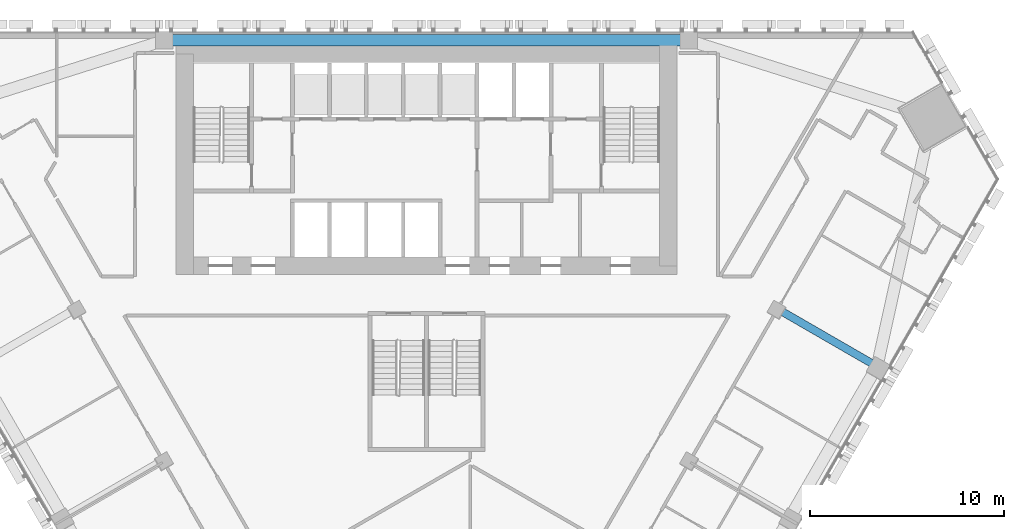
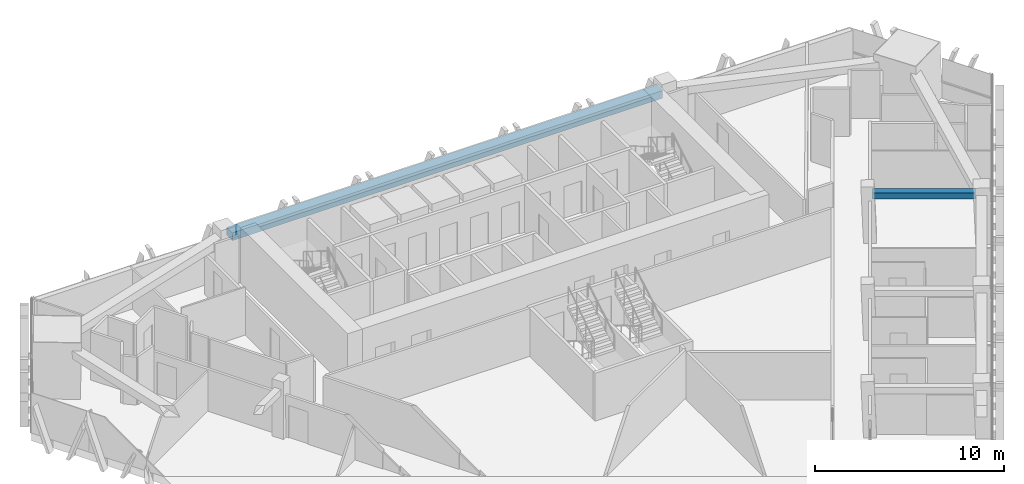
# One storey, part 6 of 16: 2 beams.
"""IFC4 building model written with IfcOpenShell, lengths in metres."""

from ifc_helpers import new_model, si_unit, direction, frame, origin, origin_2d, place, context, subcontext, project, spatial, rectangle, extrude, material, material_profile, profile_set, type_object, element, save


model = new_model("IFC4")

# Units and contexts
model_context = context("Model", 3, precision=1e-05, world=origin(), true_north=direction((0.0, 1.0)))
body_context = subcontext(model_context, "Body", "Model", "MODEL_VIEW")
ifc_project = project(units=[si_unit("LENGTHUNIT", "METRE"), si_unit("AREAUNIT", "SQUARE_METRE"), si_unit("VOLUMEUNIT", "CUBIC_METRE"), si_unit("PLANEANGLEUNIT", "RADIAN"), si_unit("MASSUNIT", "GRAM", prefix="KILO")], contexts=[model_context])

# Site, building, storey
site_placement = place(None, origin())
site = spatial("IfcSite", under=ifc_project, at=site_placement, CompositionType="ELEMENT")
building_placement = place(site_placement, origin())
building = spatial("IfcBuilding", under=site, at=building_placement, Name="Altiplano Prism Tower", CompositionType="ELEMENT")
storey_placement = place(building_placement, frame((0.0, 0.0, 84.60009765625)))
storey = spatial("IfcBuildingStorey", under=building, at=storey_placement, Name="L21", CompositionType="ELEMENT", Elevation=84.60009765625)

# Beams
ifc_material = material(Name="Concrete C60/75", Category="concrete")
ifc_material_profile_1 = material_profile(ifc_material, rectangle(XDim=0.60009765625, YDim=0.5, at=origin_2d()), Name="Edge beam 600x500")
ifc_profile_set_1 = profile_set([ifc_material_profile_1], Name="Concrete C60/75")
beam_type_1 = type_object("IfcBeamType", Name="Edge beam 600x500", PredefinedType="SPANDREL", material=ifc_profile_set_1)
beam_1_placement = place(storey_placement, frame((98.169921875, 104.550048828125, 2.849853515625), z_axis=(-1.0, 0.0, 0.0), x_axis=(0.0, -1.0, 0.0)))
element("IfcBeam", 1, at=beam_1_placement, inside=storey, type_object=beam_type_1, Name="Edge beam P01-P04 L22", PredefinedType="SPANDREL", context=body_context, shape_type="SweptSolid", body=[
    extrude(rectangle(XDim=0.60009765625, YDim=0.5, at=origin_2d()), origin(), (0.0, 0.0, 1.0), 26.33984375),
])
ifc_material_profile_2 = material_profile(ifc_material, rectangle(XDim=0.39990234375, YDim=0.39990234375, at=origin_2d()), Name="Tie beam 400x400")
ifc_profile_set_2 = profile_set([ifc_material_profile_2], Name="Concrete C60/75")
beam_type_2 = type_object("IfcBeamType", Name="Tie beam 400x400", PredefinedType="BEAM", material=ifc_profile_set_2)
beam_2_placement = place(storey_placement, frame((103.146728515625, 90.681640625, 2.89990234375), z_axis=(0.866012292785, -0.50002270823, 0.0), x_axis=(0.50002270823, 0.866012292785, 0.0)))
element("IfcBeam", 2, at=beam_2_placement, inside=storey, type_object=beam_type_2, Name="Tie beam I24 L22", PredefinedType="BEAM", context=body_context, shape_type="SweptSolid", body=[
    extrude(rectangle(XDim=0.39990234375, YDim=0.39990234375, at=origin_2d()), origin(), (0.0, 0.0, 1.0), 5.489990234375),
])

save(model, "model.ifc")
